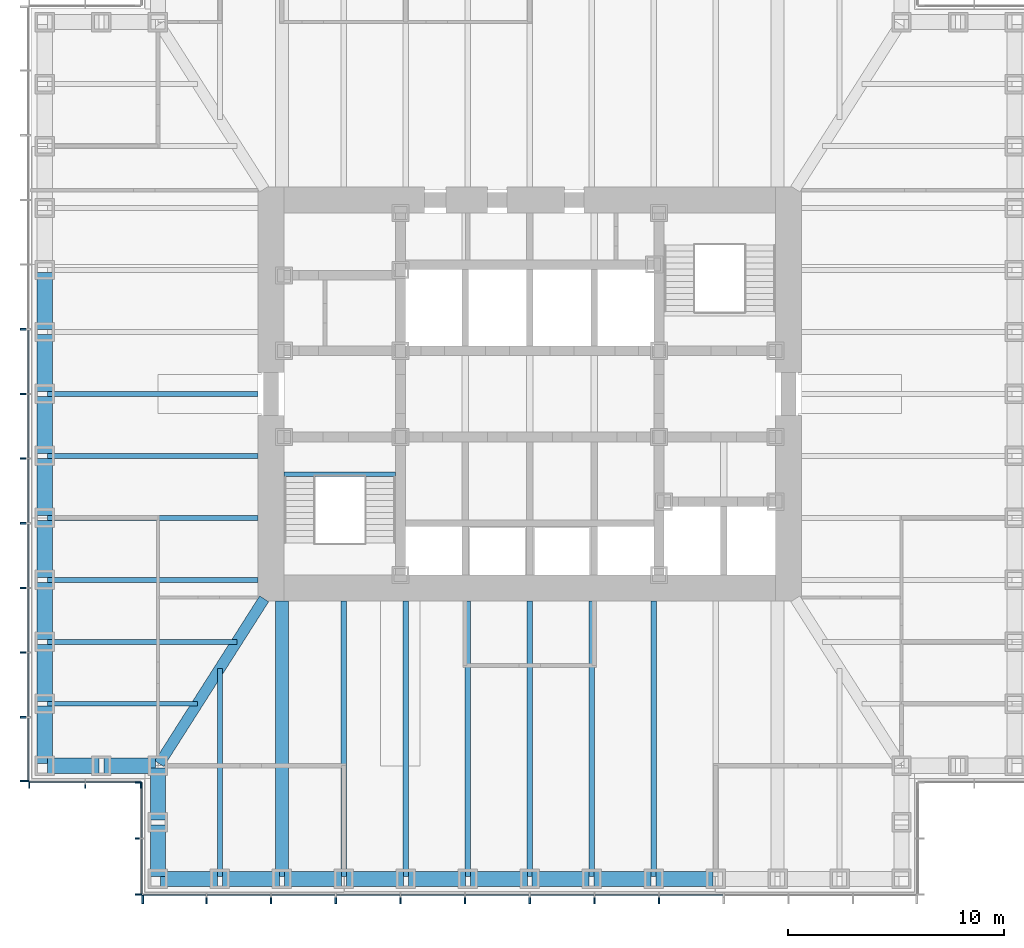
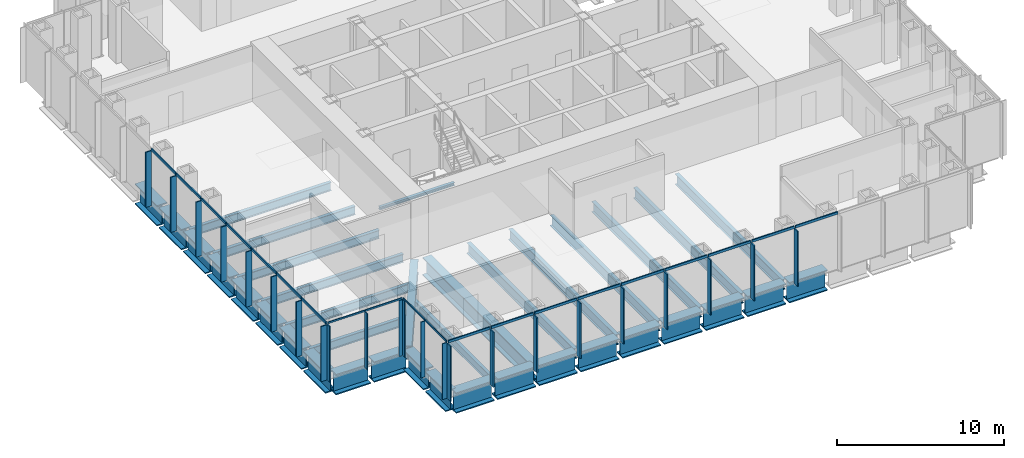
# One storey, part 2 of 16: 43 members, 37 beams, 4 elements without a shape of their own.
"""IFC4 building model written with IfcOpenShell, lengths in metres."""

from ifc_helpers import new_model, si_unit, direction, frame, origin, origin_2d, place, context, subcontext, project, spatial, rectangle, i_section, extrude, material, material_profile, profile_set, type_object, element, aggregate, save


model = new_model("IFC4")

# Units and contexts
model_context = context("Model", 3, precision=1e-05, world=origin(), true_north=direction((0.0, 1.0)))
body_context = subcontext(model_context, "Body", "Model", "MODEL_VIEW")
ifc_project = project(units=[si_unit("LENGTHUNIT", "METRE"), si_unit("AREAUNIT", "SQUARE_METRE"), si_unit("VOLUMEUNIT", "CUBIC_METRE"), si_unit("PLANEANGLEUNIT", "RADIAN"), si_unit("MASSUNIT", "GRAM", prefix="KILO")], contexts=[model_context])

# Site, building, storey
site_placement = place(None, origin())
site = spatial("IfcSite", under=ifc_project, at=site_placement, CompositionType="ELEMENT")
building_placement = place(site_placement, origin())
building = spatial("IfcBuilding", under=site, at=building_placement, Name="Daluyong Arena Tower", CompositionType="ELEMENT")
storey_placement = place(building_placement, frame((0.0, 0.0, 141.699951171875)))
storey = spatial("IfcBuildingStorey", under=building, at=storey_placement, Name="L31", CompositionType="ELEMENT", Elevation=141.699951171875)

# Curtain wall, members
ifc_material_1 = material(Name="Bronze anodised aluminium and glass", Category="aluminium")
curtain_wall_type_1 = type_object("IfcCurtainWallType", Name="Curtain wall CW2", PredefinedType="USERDEFINED", material=ifc_material_1)
curtain_wall_1_placement = place(storey_placement, origin())
curtain_wall_1 = element("IfcCurtainWall", 1, at=curtain_wall_1_placement, inside=storey, type_object=curtain_wall_type_1, Name="curtain wall L31 S", ObjectType="UNITISED CURTAIN WALL", PredefinedType="USERDEFINED")
ifc_material_2 = material(Name="Bronze anodised aluminium fin", Category="aluminium")
ifc_material_profile_1 = material_profile(ifc_material_2, rectangle(XDim=0.39990234375, YDim=0.080078125, at=origin_2d()))
ifc_profile_set_1 = profile_set([ifc_material_profile_1], Name="Bronze anodised aluminium fin")
member_type_1 = type_object("IfcMemberType", Name="CW2 bronze fin 400x80", PredefinedType="MULLION", material=ifc_profile_set_1)
member_1_placement = place(storey_placement, frame((38.0400390625, 56.550048828125, 0.0), z_axis=(0.0, 0.0, 1.0), x_axis=(0.0, 1.0, 0.0)))
member_1 = element("IfcMember", 2, at=member_1_placement, type_object=member_type_1, Name="curtain wall L31 S fin 1", PredefinedType="MULLION", context=body_context, shape_type="SweptSolid", body=[
    extrude(rectangle(XDim=0.39990234375, YDim=0.080078125, at=origin_2d()), origin(), (0.0, 0.0, 1.0), 4.02001953125),
])
member_2_placement = place(storey_placement, frame((41.0, 56.550048828125, 0.0), z_axis=(0.0, 0.0, 1.0), x_axis=(0.0, 1.0, 0.0)))
member_2 = element("IfcMember", 3, at=member_2_placement, type_object=member_type_1, Name="curtain wall L31 S fin 2", PredefinedType="MULLION", context=body_context, shape_type="SweptSolid", body=[
    extrude(rectangle(XDim=0.39990234375, YDim=0.080078125, at=origin_2d()), origin(), (0.0, 0.0, 1.0), 4.02001953125),
])
member_3_placement = place(storey_placement, frame((44.0, 56.550048828125, 0.0), z_axis=(0.0, 0.0, 1.0), x_axis=(0.0, 1.0, 0.0)))
member_3 = element("IfcMember", 4, at=member_3_placement, type_object=member_type_1, Name="curtain wall L31 S fin 3", PredefinedType="MULLION", context=body_context, shape_type="SweptSolid", body=[
    extrude(rectangle(XDim=0.39990234375, YDim=0.080078125, at=origin_2d()), origin(), (0.0, 0.0, 1.0), 4.02001953125),
])
member_4_placement = place(storey_placement, frame((47.0, 56.550048828125, 0.0), z_axis=(0.0, 0.0, 1.0), x_axis=(0.0, 1.0, 0.0)))
member_4 = element("IfcMember", 5, at=member_4_placement, type_object=member_type_1, Name="curtain wall L31 S fin 4", PredefinedType="MULLION", context=body_context, shape_type="SweptSolid", body=[
    extrude(rectangle(XDim=0.39990234375, YDim=0.080078125, at=origin_2d()), origin(), (0.0, 0.0, 1.0), 4.02001953125),
])
member_5_placement = place(storey_placement, frame((50.0, 56.550048828125, 0.0), z_axis=(0.0, 0.0, 1.0), x_axis=(0.0, 1.0, 0.0)))
member_5 = element("IfcMember", 6, at=member_5_placement, type_object=member_type_1, Name="curtain wall L31 S fin 5", PredefinedType="MULLION", context=body_context, shape_type="SweptSolid", body=[
    extrude(rectangle(XDim=0.39990234375, YDim=0.080078125, at=origin_2d()), origin(), (0.0, 0.0, 1.0), 4.02001953125),
])
member_6_placement = place(storey_placement, frame((53.0, 56.550048828125, 0.0), z_axis=(0.0, 0.0, 1.0), x_axis=(0.0, 1.0, 0.0)))
member_6 = element("IfcMember", 7, at=member_6_placement, type_object=member_type_1, Name="curtain wall L31 S fin 6", PredefinedType="MULLION", context=body_context, shape_type="SweptSolid", body=[
    extrude(rectangle(XDim=0.39990234375, YDim=0.080078125, at=origin_2d()), origin(), (0.0, 0.0, 1.0), 4.02001953125),
])
member_7_placement = place(storey_placement, frame((56.0, 56.550048828125, 0.0), z_axis=(0.0, 0.0, 1.0), x_axis=(0.0, 1.0, 0.0)))
member_7 = element("IfcMember", 8, at=member_7_placement, type_object=member_type_1, Name="curtain wall L31 S fin 7", PredefinedType="MULLION", context=body_context, shape_type="SweptSolid", body=[
    extrude(rectangle(XDim=0.39990234375, YDim=0.080078125, at=origin_2d()), origin(), (0.0, 0.0, 1.0), 4.02001953125),
])
member_8_placement = place(storey_placement, frame((59.0, 56.550048828125, 0.0), z_axis=(0.0, 0.0, 1.0), x_axis=(0.0, 1.0, 0.0)))
member_8 = element("IfcMember", 9, at=member_8_placement, type_object=member_type_1, Name="curtain wall L31 S fin 8", PredefinedType="MULLION", context=body_context, shape_type="SweptSolid", body=[
    extrude(rectangle(XDim=0.39990234375, YDim=0.080078125, at=origin_2d()), origin(), (0.0, 0.0, 1.0), 4.02001953125),
])
member_9_placement = place(storey_placement, frame((62.0, 56.550048828125, 0.0), z_axis=(0.0, 0.0, 1.0), x_axis=(0.0, 1.0, 0.0)))
member_9 = element("IfcMember", 10, at=member_9_placement, type_object=member_type_1, Name="curtain wall L31 S fin 9", PredefinedType="MULLION", context=body_context, shape_type="SweptSolid", body=[
    extrude(rectangle(XDim=0.39990234375, YDim=0.080078125, at=origin_2d()), origin(), (0.0, 0.0, 1.0), 4.02001953125),
])

curtain_wall_2_placement = place(storey_placement, origin())
curtain_wall_2 = element("IfcCurtainWall", 11, at=curtain_wall_2_placement, inside=storey, type_object=curtain_wall_type_1, Name="curtain wall L31 W", ObjectType="UNITISED CURTAIN WALL", PredefinedType="USERDEFINED")
member_10_placement = place(storey_placement, frame((32.550048828125, 83.0, 0.0), z_axis=(0.0, 0.0, 1.0), x_axis=(1.0, 0.0, 0.0)))
member_10 = element("IfcMember", 12, at=member_10_placement, type_object=member_type_1, Name="curtain wall L31 W fin 6", PredefinedType="MULLION", context=body_context, shape_type="SweptSolid", body=[
    extrude(rectangle(XDim=0.39990234375, YDim=0.080078125, at=origin_2d()), origin(), (0.0, 0.0, 1.0), 4.02001953125),
])
member_11_placement = place(storey_placement, frame((32.550048828125, 80.0, 0.0), z_axis=(0.0, 0.0, 1.0), x_axis=(1.0, 0.0, 0.0)))
member_11 = element("IfcMember", 13, at=member_11_placement, type_object=member_type_1, Name="curtain wall L31 W fin 7", PredefinedType="MULLION", context=body_context, shape_type="SweptSolid", body=[
    extrude(rectangle(XDim=0.39990234375, YDim=0.080078125, at=origin_2d()), origin(), (0.0, 0.0, 1.0), 4.02001953125),
])
member_12_placement = place(storey_placement, frame((32.550048828125, 77.0, 0.0), z_axis=(0.0, 0.0, 1.0), x_axis=(1.0, 0.0, 0.0)))
member_12 = element("IfcMember", 14, at=member_12_placement, type_object=member_type_1, Name="curtain wall L31 W fin 8", PredefinedType="MULLION", context=body_context, shape_type="SweptSolid", body=[
    extrude(rectangle(XDim=0.39990234375, YDim=0.080078125, at=origin_2d()), origin(), (0.0, 0.0, 1.0), 4.02001953125),
])
member_13_placement = place(storey_placement, frame((32.550048828125, 74.0, 0.0), z_axis=(0.0, 0.0, 1.0), x_axis=(1.0, 0.0, 0.0)))
member_13 = element("IfcMember", 15, at=member_13_placement, type_object=member_type_1, Name="curtain wall L31 W fin 9", PredefinedType="MULLION", context=body_context, shape_type="SweptSolid", body=[
    extrude(rectangle(XDim=0.39990234375, YDim=0.080078125, at=origin_2d()), origin(), (0.0, 0.0, 1.0), 4.02001953125),
])
member_14_placement = place(storey_placement, frame((32.550048828125, 71.0, 0.0), z_axis=(0.0, 0.0, 1.0), x_axis=(1.0, 0.0, 0.0)))
member_14 = element("IfcMember", 16, at=member_14_placement, type_object=member_type_1, Name="curtain wall L31 W fin 10", PredefinedType="MULLION", context=body_context, shape_type="SweptSolid", body=[
    extrude(rectangle(XDim=0.39990234375, YDim=0.080078125, at=origin_2d()), origin(), (0.0, 0.0, 1.0), 4.02001953125),
])
member_15_placement = place(storey_placement, frame((32.550048828125, 68.0, 0.0), z_axis=(0.0, 0.0, 1.0), x_axis=(1.0, 0.0, 0.0)))
member_15 = element("IfcMember", 17, at=member_15_placement, type_object=member_type_1, Name="curtain wall L31 W fin 11", PredefinedType="MULLION", context=body_context, shape_type="SweptSolid", body=[
    extrude(rectangle(XDim=0.39990234375, YDim=0.080078125, at=origin_2d()), origin(), (0.0, 0.0, 1.0), 4.02001953125),
])
member_16_placement = place(storey_placement, frame((32.550048828125, 65.0, 0.0), z_axis=(0.0, 0.0, 1.0), x_axis=(1.0, 0.0, 0.0)))
member_16 = element("IfcMember", 18, at=member_16_placement, type_object=member_type_1, Name="curtain wall L31 W fin 12", PredefinedType="MULLION", context=body_context, shape_type="SweptSolid", body=[
    extrude(rectangle(XDim=0.39990234375, YDim=0.080078125, at=origin_2d()), origin(), (0.0, 0.0, 1.0), 4.02001953125),
])
member_17_placement = place(storey_placement, frame((32.550048828125, 62.0400390625, 0.0), z_axis=(0.0, 0.0, 1.0), x_axis=(1.0, 0.0, 0.0)))
member_17 = element("IfcMember", 19, at=member_17_placement, type_object=member_type_1, Name="curtain wall L31 W fin 13", PredefinedType="MULLION", context=body_context, shape_type="SweptSolid", body=[
    extrude(rectangle(XDim=0.39990234375, YDim=0.080078125, at=origin_2d()), origin(), (0.0, 0.0, 1.0), 4.02001953125),
])

# Member
ifc_material_3 = material(Name="Bronze anodised aluminium", Category="aluminium")
ifc_material_profile_2 = material_profile(ifc_material_3, rectangle(XDim=0.080078125, YDim=0.179931640625, at=origin_2d()))
ifc_profile_set_2 = profile_set([ifc_material_profile_2], Name="Bronze anodised aluminium")
member_type_2 = type_object("IfcMemberType", Name="CW2 stack transom 180x80", PredefinedType="USERDEFINED", material=ifc_profile_set_2)
member_18_placement = place(storey_placement, frame((38.080078125, 56.75, 4.110107421875), z_axis=(1.0, 0.0, 0.0), x_axis=(0.0, 1.0, 0.0)))
member_18 = element("IfcMember", 20, at=member_18_placement, type_object=member_type_2, Name="curtain wall L31 S transom 1", ObjectType="TRANSOM", PredefinedType="USERDEFINED", context=body_context, shape_type="SweptSolid", body=[
    extrude(rectangle(XDim=0.080078125, YDim=0.179931640625, at=origin_2d()), origin(), (0.0, 0.0, 1.0), 2.8798828125),
])

member_19_placement = place(storey_placement, frame((41.0400390625, 56.75, 4.110107421875), z_axis=(1.0, 0.0, 0.0), x_axis=(0.0, 1.0, 0.0)))
member_19 = element("IfcMember", 21, at=member_19_placement, type_object=member_type_2, Name="curtain wall L31 S transom 2", ObjectType="TRANSOM", PredefinedType="USERDEFINED", context=body_context, shape_type="SweptSolid", body=[
    extrude(rectangle(XDim=0.080078125, YDim=0.179931640625, at=origin_2d()), origin(), (0.0, 0.0, 1.0), 2.919921875),
])

member_20_placement = place(storey_placement, frame((44.0400390625, 56.75, 4.110107421875), z_axis=(1.0, 0.0, 0.0), x_axis=(0.0, 1.0, 0.0)))
member_20 = element("IfcMember", 22, at=member_20_placement, type_object=member_type_2, Name="curtain wall L31 S transom 3", ObjectType="TRANSOM", PredefinedType="USERDEFINED", context=body_context, shape_type="SweptSolid", body=[
    extrude(rectangle(XDim=0.080078125, YDim=0.179931640625, at=origin_2d()), origin(), (0.0, 0.0, 1.0), 2.919921875),
])

member_21_placement = place(storey_placement, frame((47.0400390625, 56.75, 4.110107421875), z_axis=(1.0, 0.0, 0.0), x_axis=(0.0, 1.0, 0.0)))
member_21 = element("IfcMember", 23, at=member_21_placement, type_object=member_type_2, Name="curtain wall L31 S transom 4", ObjectType="TRANSOM", PredefinedType="USERDEFINED", context=body_context, shape_type="SweptSolid", body=[
    extrude(rectangle(XDim=0.080078125, YDim=0.179931640625, at=origin_2d()), origin(), (0.0, 0.0, 1.0), 2.919921875),
])

member_22_placement = place(storey_placement, frame((50.0400390625, 56.75, 4.110107421875), z_axis=(1.0, 0.0, 0.0), x_axis=(0.0, 1.0, 0.0)))
member_22 = element("IfcMember", 24, at=member_22_placement, type_object=member_type_2, Name="curtain wall L31 S transom 5", ObjectType="TRANSOM", PredefinedType="USERDEFINED", context=body_context, shape_type="SweptSolid", body=[
    extrude(rectangle(XDim=0.080078125, YDim=0.179931640625, at=origin_2d()), origin(), (0.0, 0.0, 1.0), 2.919921875),
])

member_23_placement = place(storey_placement, frame((53.0400390625, 56.75, 4.110107421875), z_axis=(1.0, 0.0, 0.0), x_axis=(0.0, 1.0, 0.0)))
member_23 = element("IfcMember", 25, at=member_23_placement, type_object=member_type_2, Name="curtain wall L31 S transom 6", ObjectType="TRANSOM", PredefinedType="USERDEFINED", context=body_context, shape_type="SweptSolid", body=[
    extrude(rectangle(XDim=0.080078125, YDim=0.179931640625, at=origin_2d()), origin(), (0.0, 0.0, 1.0), 2.919921875),
])

member_24_placement = place(storey_placement, frame((56.0400390625, 56.75, 4.110107421875), z_axis=(1.0, 0.0, 0.0), x_axis=(0.0, 1.0, 0.0)))
member_24 = element("IfcMember", 26, at=member_24_placement, type_object=member_type_2, Name="curtain wall L31 S transom 7", ObjectType="TRANSOM", PredefinedType="USERDEFINED", context=body_context, shape_type="SweptSolid", body=[
    extrude(rectangle(XDim=0.080078125, YDim=0.179931640625, at=origin_2d()), origin(), (0.0, 0.0, 1.0), 2.919921875),
])

member_25_placement = place(storey_placement, frame((59.0400390625, 56.75, 4.110107421875), z_axis=(1.0, 0.0, 0.0), x_axis=(0.0, 1.0, 0.0)))
member_25 = element("IfcMember", 27, at=member_25_placement, type_object=member_type_2, Name="curtain wall L31 S transom 8", ObjectType="TRANSOM", PredefinedType="USERDEFINED", context=body_context, shape_type="SweptSolid", body=[
    extrude(rectangle(XDim=0.080078125, YDim=0.179931640625, at=origin_2d()), origin(), (0.0, 0.0, 1.0), 2.919921875),
])

member_26_placement = place(storey_placement, frame((62.0400390625, 56.75, 4.110107421875), z_axis=(1.0, 0.0, 0.0), x_axis=(0.0, 1.0, 0.0)))
member_26 = element("IfcMember", 28, at=member_26_placement, type_object=member_type_2, Name="curtain wall L31 S transom 9", ObjectType="TRANSOM", PredefinedType="USERDEFINED", context=body_context, shape_type="SweptSolid", body=[
    extrude(rectangle(XDim=0.080078125, YDim=0.179931640625, at=origin_2d()), origin(), (0.0, 0.0, 1.0), 2.919921875),
])

aggregate(curtain_wall_1, [member_1, member_2, member_3, member_4, member_5, member_6, member_7, member_8, member_9, member_18, member_19, member_20, member_21, member_22, member_23, member_24, member_25, member_26])

member_27_placement = place(storey_placement, frame((32.75, 82.9599609375, 4.110107421875), z_axis=(0.0, -1.0, 0.0), x_axis=(1.0, 0.0, 0.0)))
member_27 = element("IfcMember", 29, at=member_27_placement, type_object=member_type_2, Name="curtain wall L31 W transom 6", ObjectType="TRANSOM", PredefinedType="USERDEFINED", context=body_context, shape_type="SweptSolid", body=[
    extrude(rectangle(XDim=0.080078125, YDim=0.179931640625, at=origin_2d()), origin(), (0.0, 0.0, 1.0), 2.919921875),
])

member_28_placement = place(storey_placement, frame((32.75, 79.9599609375, 4.110107421875), z_axis=(0.0, -1.0, 0.0), x_axis=(1.0, 0.0, 0.0)))
member_28 = element("IfcMember", 30, at=member_28_placement, type_object=member_type_2, Name="curtain wall L31 W transom 7", ObjectType="TRANSOM", PredefinedType="USERDEFINED", context=body_context, shape_type="SweptSolid", body=[
    extrude(rectangle(XDim=0.080078125, YDim=0.179931640625, at=origin_2d()), origin(), (0.0, 0.0, 1.0), 2.919921875),
])

member_29_placement = place(storey_placement, frame((32.75, 76.9599609375, 4.110107421875), z_axis=(0.0, -1.0, 0.0), x_axis=(1.0, 0.0, 0.0)))
member_29 = element("IfcMember", 31, at=member_29_placement, type_object=member_type_2, Name="curtain wall L31 W transom 8", ObjectType="TRANSOM", PredefinedType="USERDEFINED", context=body_context, shape_type="SweptSolid", body=[
    extrude(rectangle(XDim=0.080078125, YDim=0.179931640625, at=origin_2d()), origin(), (0.0, 0.0, 1.0), 2.919921875),
])

member_30_placement = place(storey_placement, frame((32.75, 73.9599609375, 4.110107421875), z_axis=(0.0, -1.0, 0.0), x_axis=(1.0, 0.0, 0.0)))
member_30 = element("IfcMember", 32, at=member_30_placement, type_object=member_type_2, Name="curtain wall L31 W transom 9", ObjectType="TRANSOM", PredefinedType="USERDEFINED", context=body_context, shape_type="SweptSolid", body=[
    extrude(rectangle(XDim=0.080078125, YDim=0.179931640625, at=origin_2d()), origin(), (0.0, 0.0, 1.0), 2.919921875),
])

member_31_placement = place(storey_placement, frame((32.75, 70.9599609375, 4.110107421875), z_axis=(0.0, -1.0, 0.0), x_axis=(1.0, 0.0, 0.0)))
member_31 = element("IfcMember", 33, at=member_31_placement, type_object=member_type_2, Name="curtain wall L31 W transom 10", ObjectType="TRANSOM", PredefinedType="USERDEFINED", context=body_context, shape_type="SweptSolid", body=[
    extrude(rectangle(XDim=0.080078125, YDim=0.179931640625, at=origin_2d()), origin(), (0.0, 0.0, 1.0), 2.919921875),
])

member_32_placement = place(storey_placement, frame((32.75, 67.9599609375, 4.110107421875), z_axis=(0.0, -1.0, 0.0), x_axis=(1.0, 0.0, 0.0)))
member_32 = element("IfcMember", 34, at=member_32_placement, type_object=member_type_2, Name="curtain wall L31 W transom 11", ObjectType="TRANSOM", PredefinedType="USERDEFINED", context=body_context, shape_type="SweptSolid", body=[
    extrude(rectangle(XDim=0.080078125, YDim=0.179931640625, at=origin_2d()), origin(), (0.0, 0.0, 1.0), 2.919921875),
])

member_33_placement = place(storey_placement, frame((32.75, 64.9599609375, 4.110107421875), z_axis=(0.0, -1.0, 0.0), x_axis=(1.0, 0.0, 0.0)))
member_33 = element("IfcMember", 35, at=member_33_placement, type_object=member_type_2, Name="curtain wall L31 W transom 12", ObjectType="TRANSOM", PredefinedType="USERDEFINED", context=body_context, shape_type="SweptSolid", body=[
    extrude(rectangle(XDim=0.080078125, YDim=0.179931640625, at=origin_2d()), origin(), (0.0, 0.0, 1.0), 2.8798828125),
])

aggregate(curtain_wall_2, [member_10, member_11, member_12, member_13, member_14, member_15, member_16, member_17, member_27, member_28, member_29, member_30, member_31, member_32, member_33])

# Curtain wall, members
ifc_material_4 = material(Name="Bronze anodised aluminium and glass", Category="aluminium")
curtain_wall_type_2 = type_object("IfcCurtainWallType", Name="Curtain wall CW7", PredefinedType="USERDEFINED", material=ifc_material_4)
curtain_wall_3_placement = place(storey_placement, origin())
curtain_wall_3 = element("IfcCurtainWall", 36, at=curtain_wall_3_placement, inside=storey, type_object=curtain_wall_type_2, Name="curtain wall L31 SW-S", ObjectType="UNITISED CURTAIN WALL", PredefinedType="USERDEFINED")
ifc_material_5 = material(Name="Bronze anodised aluminium fin", Category="aluminium")
ifc_material_profile_3 = material_profile(ifc_material_5, rectangle(XDim=0.300048828125, YDim=0.06005859375, at=origin_2d()))
ifc_profile_set_3 = profile_set([ifc_material_profile_3], Name="Bronze anodised aluminium fin")
member_type_3 = type_object("IfcMemberType", Name="CW7 bronze fin 300x60", PredefinedType="MULLION", material=ifc_profile_set_3)
member_34_placement = place(storey_placement, frame((32.780029296875, 61.85009765625, 0.0), z_axis=(0.0, 0.0, 1.0), x_axis=(0.0, 1.0, 0.0)))
member_34 = element("IfcMember", 37, at=member_34_placement, type_object=member_type_3, Name="curtain wall L31 SW-S fin 1", PredefinedType="MULLION", context=body_context, shape_type="SweptSolid", body=[
    extrude(rectangle(XDim=0.300048828125, YDim=0.06005859375, at=origin_2d()), origin(), (0.0, 0.0, 1.0), 4.080078125),
])
member_35_placement = place(storey_placement, frame((35.375, 61.85009765625, 0.0), z_axis=(0.0, 0.0, 1.0), x_axis=(0.0, 1.0, 0.0)))
member_35 = element("IfcMember", 38, at=member_35_placement, type_object=member_type_3, Name="curtain wall L31 SW-S fin 2", PredefinedType="MULLION", context=body_context, shape_type="SweptSolid", body=[
    extrude(rectangle(XDim=0.300048828125, YDim=0.06005859375, at=origin_2d()), origin(), (0.0, 0.0, 1.0), 4.080078125),
])
member_36_placement = place(storey_placement, frame((37.969970703125, 61.85009765625, 0.0), z_axis=(0.0, 0.0, 1.0), x_axis=(0.0, 1.0, 0.0)))
member_36 = element("IfcMember", 39, at=member_36_placement, type_object=member_type_3, Name="curtain wall L31 SW-S fin 3", PredefinedType="MULLION", context=body_context, shape_type="SweptSolid", body=[
    extrude(rectangle(XDim=0.300048828125, YDim=0.06005859375, at=origin_2d()), origin(), (0.0, 0.0, 1.0), 4.080078125),
])

curtain_wall_4_placement = place(storey_placement, origin())
curtain_wall_4 = element("IfcCurtainWall", 40, at=curtain_wall_4_placement, inside=storey, type_object=curtain_wall_type_2, Name="curtain wall L31 SW-W", ObjectType="UNITISED CURTAIN WALL", PredefinedType="USERDEFINED")
member_37_placement = place(storey_placement, frame((37.85009765625, 61.969970703125, 0.0), z_axis=(0.0, 0.0, 1.0), x_axis=(1.0, 0.0, 0.0)))
member_37 = element("IfcMember", 41, at=member_37_placement, type_object=member_type_3, Name="curtain wall L31 SW-W fin 1", PredefinedType="MULLION", context=body_context, shape_type="SweptSolid", body=[
    extrude(rectangle(XDim=0.300048828125, YDim=0.06005859375, at=origin_2d()), origin(), (0.0, 0.0, 1.0), 4.080078125),
])
member_38_placement = place(storey_placement, frame((37.85009765625, 59.375, 0.0), z_axis=(0.0, 0.0, 1.0), x_axis=(1.0, 0.0, 0.0)))
member_38 = element("IfcMember", 42, at=member_38_placement, type_object=member_type_3, Name="curtain wall L31 SW-W fin 2", PredefinedType="MULLION", context=body_context, shape_type="SweptSolid", body=[
    extrude(rectangle(XDim=0.300048828125, YDim=0.06005859375, at=origin_2d()), origin(), (0.0, 0.0, 1.0), 4.080078125),
])
member_39_placement = place(storey_placement, frame((37.85009765625, 56.780029296875, 0.0), z_axis=(0.0, 0.0, 1.0), x_axis=(1.0, 0.0, 0.0)))
member_39 = element("IfcMember", 43, at=member_39_placement, type_object=member_type_3, Name="curtain wall L31 SW-W fin 3", PredefinedType="MULLION", context=body_context, shape_type="SweptSolid", body=[
    extrude(rectangle(XDim=0.300048828125, YDim=0.06005859375, at=origin_2d()), origin(), (0.0, 0.0, 1.0), 4.080078125),
])

# Member
ifc_material_6 = material(Name="Bronze anodised aluminium", Category="aluminium")
ifc_material_profile_4 = material_profile(ifc_material_6, rectangle(XDim=0.06005859375, YDim=0.1201171875, at=origin_2d()))
ifc_profile_set_4 = profile_set([ifc_material_profile_4], Name="Bronze anodised aluminium")
member_type_4 = type_object("IfcMemberType", Name="CW7 stack transom 120x60", PredefinedType="USERDEFINED", material=ifc_profile_set_4)
member_40_placement = place(storey_placement, frame((32.81005859375, 62.0, 4.14013671875), z_axis=(1.0, 0.0, 0.0), x_axis=(0.0, 1.0, 0.0)))
member_40 = element("IfcMember", 44, at=member_40_placement, type_object=member_type_4, Name="curtain wall L31 SW-S transom 1", ObjectType="TRANSOM", PredefinedType="USERDEFINED", context=body_context, shape_type="SweptSolid", body=[
    extrude(rectangle(XDim=0.06005859375, YDim=0.1201171875, at=origin_2d()), origin(), (0.0, 0.0, 1.0), 2.534912109375),
])

member_41_placement = place(storey_placement, frame((35.405029296875, 62.0, 4.14013671875), z_axis=(1.0, 0.0, 0.0), x_axis=(0.0, 1.0, 0.0)))
member_41 = element("IfcMember", 45, at=member_41_placement, type_object=member_type_4, Name="curtain wall L31 SW-S transom 2", ObjectType="TRANSOM", PredefinedType="USERDEFINED", context=body_context, shape_type="SweptSolid", body=[
    extrude(rectangle(XDim=0.06005859375, YDim=0.1201171875, at=origin_2d()), origin(), (0.0, 0.0, 1.0), 2.534912109375),
])

aggregate(curtain_wall_3, [member_34, member_35, member_36, member_40, member_41])

member_42_placement = place(storey_placement, frame((38.0, 61.93994140625, 4.14013671875), z_axis=(0.0, -1.0, 0.0), x_axis=(1.0, 0.0, 0.0)))
member_42 = element("IfcMember", 46, at=member_42_placement, type_object=member_type_4, Name="curtain wall L31 SW-W transom 1", ObjectType="TRANSOM", PredefinedType="USERDEFINED", context=body_context, shape_type="SweptSolid", body=[
    extrude(rectangle(XDim=0.06005859375, YDim=0.1201171875, at=origin_2d()), origin(), (0.0, 0.0, 1.0), 2.534912109375),
])

member_43_placement = place(storey_placement, frame((38.0, 59.344970703125, 4.14013671875), z_axis=(0.0, -1.0, 0.0), x_axis=(1.0, 0.0, 0.0)))
member_43 = element("IfcMember", 47, at=member_43_placement, type_object=member_type_4, Name="curtain wall L31 SW-W transom 2", ObjectType="TRANSOM", PredefinedType="USERDEFINED", context=body_context, shape_type="SweptSolid", body=[
    extrude(rectangle(XDim=0.06005859375, YDim=0.1201171875, at=origin_2d()), origin(), (0.0, 0.0, 1.0), 2.534912109375),
])

aggregate(curtain_wall_4, [member_37, member_38, member_39, member_42, member_43])

# Beams
ifc_material_7 = material(Name="Steel ASTM A572 Grade 50", Category="steel")
ifc_material_profile_5 = material_profile(ifc_material_7, i_section(OverallWidth=0.5, OverallDepth=1.0, WebThickness=0.03, FlangeThickness=0.06, at=origin_2d()))
ifc_profile_set_5 = profile_set([ifc_material_profile_5], Name="Steel ASTM A572 Grade 50")
beam_type_1 = type_object("IfcBeamType", Name="Corner girder TB1000X500", PredefinedType="BEAM", material=ifc_profile_set_5)
beam_1_placement = place(storey_placement, frame((38.811767578125, 62.846923828125, -0.659912109375), z_axis=(0.536872006459, 0.843663705916, 0.0), x_axis=(-0.843663705916, 0.536872006459, 0.0)))
element("IfcBeam", 48, at=beam_1_placement, inside=storey, type_object=beam_type_1, Name="corner girder DG2", PredefinedType="BEAM", context=body_context, shape_type="SweptSolid", body=[
    extrude(i_section(OverallWidth=0.5, OverallDepth=1.0, WebThickness=0.03, FlangeThickness=0.06, at=origin_2d()), origin(), (0.0, 0.0, 1.0), 9.06396484375),
])
ifc_material_8 = material(Name="Steel ASTM A572 Grade 50", Category="steel")
ifc_material_profile_6 = material_profile(ifc_material_8, i_section(OverallWidth=0.60009765625, OverallDepth=1.300048828125, WebThickness=0.035, FlangeThickness=0.07, at=origin_2d()))
ifc_profile_set_6 = profile_set([ifc_material_profile_6], Name="Steel ASTM A572 Grade 50")
beam_type_2 = type_object("IfcBeamType", Name="Floor beam TB1300X600", PredefinedType="BEAM", material=ifc_profile_set_6)
beam_2_placement = place(storey_placement, frame((44.5, 57.614990234375, -0.81005859375), z_axis=(0.0, 1.0, 0.0), x_axis=(-1.0, 0.0, 0.0)))
element("IfcBeam", 49, at=beam_2_placement, inside=storey, type_object=beam_type_2, Name="floor beam FB7", PredefinedType="BEAM", context=body_context, shape_type="SweptSolid", body=[
    extrude(i_section(OverallWidth=0.60009765625, OverallDepth=1.300048828125, WebThickness=0.035, FlangeThickness=0.07, at=origin_2d()), origin(), (0.0, 0.0, 1.0), 12.784912109375),
])
ifc_material_9 = material(Name="Steel ASTM A992 Grade 50", Category="steel")
ifc_material_profile_7 = material_profile(ifc_material_9, i_section(OverallWidth=0.22900390625, OverallDepth=0.612060546875, WebThickness=0.011962890625, FlangeThickness=0.01953125, at=origin_2d()))
ifc_profile_set_7 = profile_set([ifc_material_profile_7], Name="Steel ASTM A992 Grade 50")
beam_type_3 = type_object("IfcBeamType", Name="Floor beam W24X84", PredefinedType="BEAM", material=ifc_profile_set_7)
beam_3_placement = place(storey_placement, frame((41.625, 57.614990234375, -0.466064453125), z_axis=(0.0, 1.0, 0.0), x_axis=(-1.0, 0.0, 0.0)))
element("IfcBeam", 50, at=beam_3_placement, inside=storey, type_object=beam_type_3, Name="floor beam FB3", PredefinedType="BEAM", context=body_context, shape_type="SweptSolid", body=[
    extrude(i_section(OverallWidth=0.22900390625, OverallDepth=0.612060546875, WebThickness=0.011962890625, FlangeThickness=0.01953125, at=origin_2d()), origin(), (0.0, 0.0, 1.0), 9.65283203125),
])
for number, where, z_axis, x_axis, name in (
    (51, (33.614990234375, 80.0, -0.466064453125), (1.0, 0.0, 0.0), (0.0, 1.0, 0.0), "floor beam FB3"),
    (52, (33.614990234375, 77.125, -0.466064453125), (1.0, 0.0, 0.0), (0.0, 1.0, 0.0), "floor beam FB3"),
    (53, (33.614990234375, 74.25, -0.466064453125), (1.0, 0.0, 0.0), (0.0, 1.0, 0.0), "floor beam FB3"),
    (54, (33.614990234375, 71.375, -0.466064453125), (1.0, 0.0, 0.0), (0.0, 1.0, 0.0), "floor beam FB3"),
):
    element("IfcBeam", number, at=place(storey_placement, frame(where, z_axis=z_axis, x_axis=x_axis)), inside=storey, type_object=beam_type_3, Name=name, PredefinedType="BEAM", context=body_context, shape_type="SweptSolid", body=[
        extrude(i_section(OverallWidth=0.22900390625, OverallDepth=0.612060546875, WebThickness=0.011962890625, FlangeThickness=0.01953125, at=origin_2d()), origin(), (0.0, 0.0, 1.0), 9.784912109375),
    ])
beam_4_placement = place(storey_placement, frame((33.614990234375, 68.5, -0.466064453125), z_axis=(1.0, 0.0, 0.0), x_axis=(0.0, 1.0, 0.0)))
element("IfcBeam", 55, at=beam_4_placement, inside=storey, type_object=beam_type_3, Name="floor beam FB3", PredefinedType="BEAM", context=body_context, shape_type="SweptSolid", body=[
    extrude(i_section(OverallWidth=0.22900390625, OverallDepth=0.612060546875, WebThickness=0.011962890625, FlangeThickness=0.01953125, at=origin_2d()), origin(), (0.0, 0.0, 1.0), 8.794189453125),
])
beam_5_placement = place(storey_placement, frame((33.614990234375, 65.625, -0.466064453125), z_axis=(1.0, 0.0, 0.0), x_axis=(0.0, 1.0, 0.0)))
element("IfcBeam", 56, at=beam_5_placement, inside=storey, type_object=beam_type_3, Name="floor beam FB3", PredefinedType="BEAM", context=body_context, shape_type="SweptSolid", body=[
    extrude(i_section(OverallWidth=0.22900390625, OverallDepth=0.612060546875, WebThickness=0.011962890625, FlangeThickness=0.01953125, at=origin_2d()), origin(), (0.0, 0.0, 1.0), 6.964599609375),
])
ifc_material_10 = material(Name="Steel ASTM A992 Grade 50", Category="steel")
ifc_material_profile_8 = material_profile(ifc_material_10, i_section(OverallWidth=0.2666015625, OverallDepth=0.761962890625, WebThickness=0.014404296875, FlangeThickness=0.021484375, at=origin_2d()))
ifc_profile_set_8 = profile_set([ifc_material_profile_8], Name="Steel ASTM A992 Grade 50")
beam_type_4 = type_object("IfcBeamType", Name="Floor beam W30X116", PredefinedType="BEAM", material=ifc_profile_set_8)
for number, where, z_axis, x_axis, name in (
    (57, (47.375, 57.614990234375, -0.541015625), (0.0, 1.0, 0.0), (-1.0, 0.0, 0.0), "floor beam FB4"),
    (58, (50.25, 57.614990234375, -0.541015625), (0.0, 1.0, 0.0), (-1.0, 0.0, 0.0), "floor beam FB4"),
    (59, (53.125, 57.614990234375, -0.541015625), (0.0, 1.0, 0.0), (-1.0, 0.0, 0.0), "floor beam FB4"),
    (60, (56.0, 57.614990234375, -0.541015625), (0.0, 1.0, 0.0), (-1.0, 0.0, 0.0), "floor beam FB4"),
    (61, (58.875, 57.614990234375, -0.541015625), (0.0, 1.0, 0.0), (-1.0, 0.0, 0.0), "floor beam FB4"),
    (62, (61.75, 57.614990234375, -0.541015625), (0.0, 1.0, 0.0), (-1.0, 0.0, 0.0), "floor beam FB4"),
):
    element("IfcBeam", number, at=place(storey_placement, frame(where, z_axis=z_axis, x_axis=x_axis)), inside=storey, type_object=beam_type_4, Name=name, PredefinedType="BEAM", context=body_context, shape_type="SweptSolid", body=[
        extrude(i_section(OverallWidth=0.2666015625, OverallDepth=0.761962890625, WebThickness=0.014404296875, FlangeThickness=0.021484375, at=origin_2d()), origin(), (0.0, 0.0, 1.0), 12.784912109375),
    ])
ifc_material_11 = material(Name="Steel ASTM A572 Grade 50", Category="steel")
ifc_material_profile_9 = material_profile(ifc_material_11, i_section(OverallWidth=0.699951171875, OverallDepth=1.5, WebThickness=0.04, FlangeThickness=0.08, at=origin_2d()))
ifc_profile_set_9 = profile_set([ifc_material_profile_9], Name="Steel ASTM A572 Grade 50")
beam_type_5 = type_object("IfcBeamType", Name="Spandrel Z2 PG1500X700", PredefinedType="SPANDREL", material=ifc_profile_set_9)
for number, where, z_axis, x_axis, name in (
    (63, (38.864990234375, 57.5, -0.909912109375), (1.0, 0.0, 0.0), (0.0, 1.0, 0.0), "spandrel z2 SB6"),
    (64, (41.739990234375, 57.5, -0.909912109375), (1.0, 0.0, 0.0), (0.0, 1.0, 0.0), "spandrel z2 SB6"),
    (65, (44.614990234375, 57.5, -0.909912109375), (1.0, 0.0, 0.0), (0.0, 1.0, 0.0), "spandrel z2 SB6"),
    (66, (47.489990234375, 57.5, -0.909912109375), (1.0, 0.0, 0.0), (0.0, 1.0, 0.0), "spandrel z2 SB6"),
    (67, (50.364990234375, 57.5, -0.909912109375), (1.0, 0.0, 0.0), (0.0, 1.0, 0.0), "spandrel z2 SB6"),
    (68, (53.239990234375, 57.5, -0.909912109375), (1.0, 0.0, 0.0), (0.0, 1.0, 0.0), "spandrel z2 SB6"),
    (69, (56.114990234375, 57.5, -0.909912109375), (1.0, 0.0, 0.0), (0.0, 1.0, 0.0), "spandrel z2 SB6"),
    (70, (58.989990234375, 57.5, -0.909912109375), (1.0, 0.0, 0.0), (0.0, 1.0, 0.0), "spandrel z2 SB6"),
    (71, (61.864990234375, 57.5, -0.909912109375), (1.0, 0.0, 0.0), (0.0, 1.0, 0.0), "spandrel z2 SB6"),
    (72, (33.5, 85.635009765625, -0.909912109375), (0.0, -1.0, 0.0), (1.0, 0.0, 0.0), "spandrel z2 SB6"),
    (73, (33.5, 82.760009765625, -0.909912109375), (0.0, -1.0, 0.0), (1.0, 0.0, 0.0), "spandrel z2 SB6"),
    (74, (33.5, 79.885009765625, -0.909912109375), (0.0, -1.0, 0.0), (1.0, 0.0, 0.0), "spandrel z2 SB6"),
    (75, (33.5, 77.010009765625, -0.909912109375), (0.0, -1.0, 0.0), (1.0, 0.0, 0.0), "spandrel z2 SB6"),
    (76, (33.5, 74.135009765625, -0.909912109375), (0.0, -1.0, 0.0), (1.0, 0.0, 0.0), "spandrel z2 SB6"),
    (77, (33.5, 71.260009765625, -0.909912109375), (0.0, -1.0, 0.0), (1.0, 0.0, 0.0), "spandrel z2 SB6"),
    (78, (33.5, 68.385009765625, -0.909912109375), (0.0, -1.0, 0.0), (1.0, 0.0, 0.0), "spandrel z2 SB6"),
    (79, (33.5, 65.510009765625, -0.909912109375), (0.0, -1.0, 0.0), (1.0, 0.0, 0.0), "spandrel z2 SB6"),
):
    element("IfcBeam", number, at=place(storey_placement, frame(where, z_axis=z_axis, x_axis=x_axis)), inside=storey, type_object=beam_type_5, Name=name, PredefinedType="SPANDREL", context=body_context, shape_type="SweptSolid", body=[
        extrude(i_section(OverallWidth=0.699951171875, OverallDepth=1.5, WebThickness=0.04, FlangeThickness=0.08, at=origin_2d()), origin(), (0.0, 0.0, 1.0), 2.64501953125),
    ])
for number, where, z_axis, x_axis, name in (
    (80, (33.614990234375, 62.75, -0.909912109375), (1.0, 0.0, 0.0), (0.0, 1.0, 0.0), "spandrel z2 SB6"),
    (81, (36.239990234375, 62.75, -0.909912109375), (1.0, 0.0, 0.0), (0.0, 1.0, 0.0), "spandrel z2 SB6"),
    (82, (38.75, 62.635009765625, -0.909912109375), (0.0, -1.0, 0.0), (1.0, 0.0, 0.0), "spandrel z2 SB6"),
    (83, (38.75, 60.010009765625, -0.909912109375), (0.0, -1.0, 0.0), (1.0, 0.0, 0.0), "spandrel z2 SB6"),
):
    element("IfcBeam", number, at=place(storey_placement, frame(where, z_axis=z_axis, x_axis=x_axis)), inside=storey, type_object=beam_type_5, Name=name, PredefinedType="SPANDREL", context=body_context, shape_type="SweptSolid", body=[
        extrude(i_section(OverallWidth=0.699951171875, OverallDepth=1.5, WebThickness=0.04, FlangeThickness=0.08, at=origin_2d()), origin(), (0.0, 0.0, 1.0), 2.39501953125),
    ])
ifc_material_12 = material(Name="Steel ASTM A992 Grade 50", Category="steel")
ifc_material_profile_10 = material_profile(ifc_material_12, i_section(OverallWidth=0.203125, OverallDepth=0.203125, WebThickness=0.00732421875, FlangeThickness=0.010986328125, at=origin_2d()))
ifc_profile_set_10 = profile_set([ifc_material_profile_10], Name="Steel ASTM A992 Grade 50")
beam_type_6 = type_object("IfcBeamType", Name="Stair landing beam W8X31", PredefinedType="BEAM", material=ifc_profile_set_10)
beam_6_placement = place(storey_placement, frame((44.60009765625, 76.276611328125, -0.261474609375), z_axis=(1.0, 0.0, 0.0), x_axis=(0.0, 1.0, 0.0)))
element("IfcBeam", 84, at=beam_6_placement, inside=storey, type_object=beam_type_6, Name="exit stair A landing beam", PredefinedType="BEAM", context=body_context, shape_type="SweptSolid", body=[
    extrude(i_section(OverallWidth=0.203125, OverallDepth=0.203125, WebThickness=0.00732421875, FlangeThickness=0.010986328125, at=origin_2d()), origin(), (0.0, 0.0, 1.0), 5.1748046875),
])

save(model, "model.ifc")
